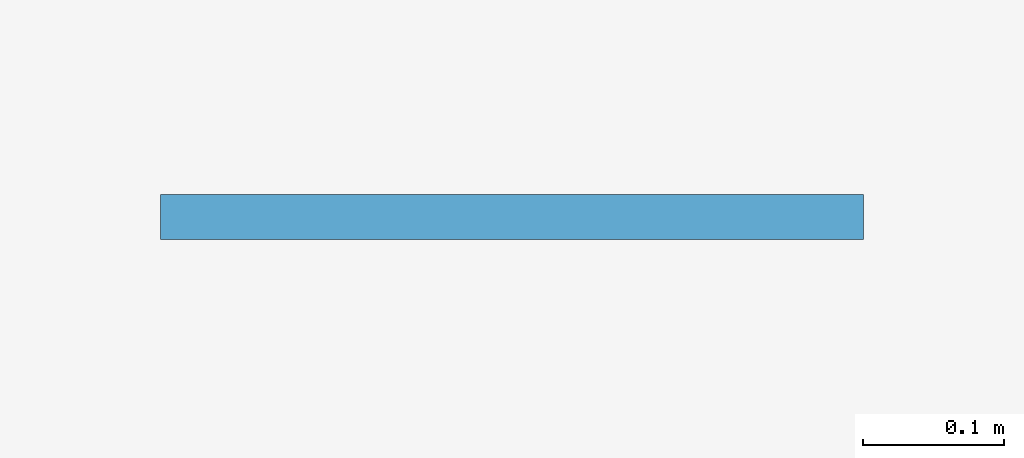
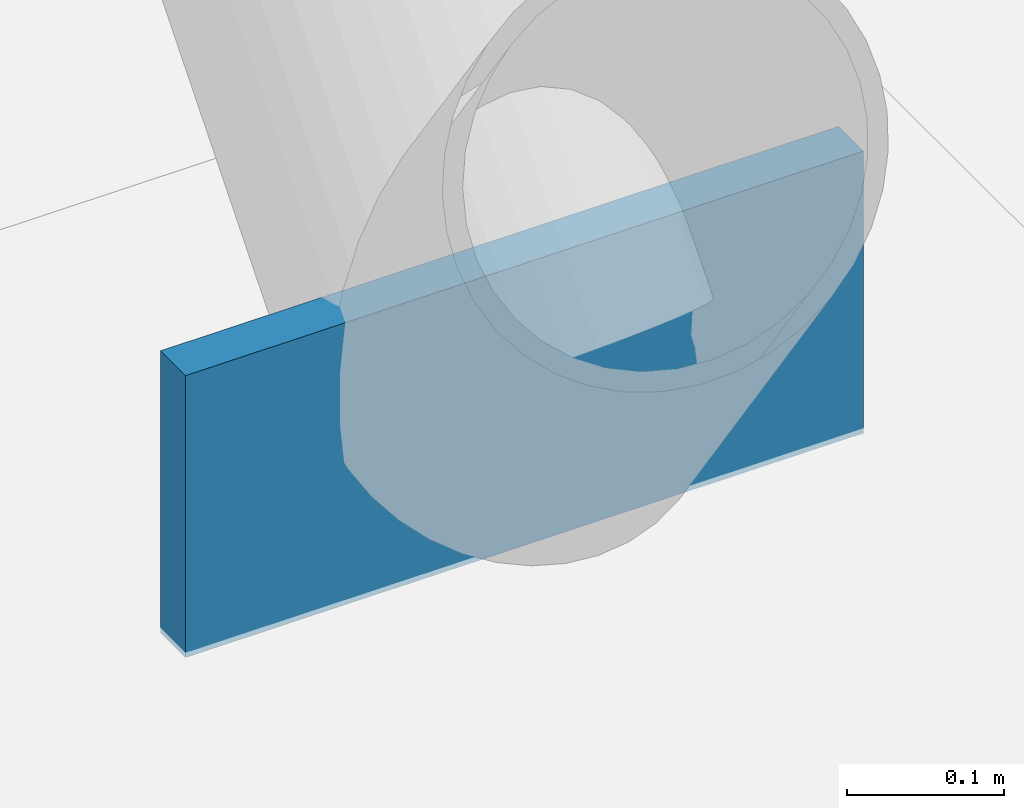
# One storey, part 116 of 140: 1 plate.
"""IFC4 building model written with IfcOpenShell, lengths in metres."""

from ifc_helpers import new_model, si_unit, direction, frame, origin, origin_2d, place, context, subcontext, project, spatial, rectangle, extrude, material, layer, layer_set, type_object, element, save


model = new_model("IFC4")

# Units and contexts
model_context = context("Model", 3, precision=1e-05, world=origin(), true_north=direction((0.0, 1.0)))
body_context = subcontext(model_context, "Body", "Model", "MODEL_VIEW")
ifc_project = project(units=[si_unit("LENGTHUNIT", "METRE"), si_unit("AREAUNIT", "SQUARE_METRE"), si_unit("VOLUMEUNIT", "CUBIC_METRE"), si_unit("PLANEANGLEUNIT", "RADIAN"), si_unit("MASSUNIT", "GRAM", prefix="KILO")], contexts=[model_context])

# Site, building, storey
site_placement = place(None, origin())
site = spatial("IfcSite", under=ifc_project, at=site_placement, CompositionType="ELEMENT")
building_placement = place(site_placement, origin())
building = spatial("IfcBuilding", under=site, at=building_placement, Name="Deido Ridge Mobility Hub", CompositionType="ELEMENT")
storey_placement = place(building_placement, origin())
storey = spatial("IfcBuildingStorey", under=building, at=storey_placement, Name="L00", CompositionType="ELEMENT", Elevation=0.0)

# Plate
ifc_material = material(Name="Steel S355J2 EN 10025-2", Category="steel")
ifc_layer = layer(ifc_material, 0.031982421875, Name="Steel S355J2 EN 10025-2")
ifc_layer_set = layer_set([ifc_layer], Name="Steel S355J2 EN 10025-2")
plate_type = type_object("IfcPlateType", Name="PLT-GUS-32", PredefinedType="USERDEFINED", material=ifc_layer_set)
plate_placement = place(storey_placement, frame((182.300048828125, 18.0, 0.03515625), z_axis=(0.0, 0.0, 1.0), x_axis=(1.0, 0.0, 0.0)))
element("IfcPlate", 1, at=plate_placement, inside=storey, type_object=plate_type, Name="Exoskeleton V-strut pedestal gusset GP4 139", ObjectType="GUSSET PLATE", PredefinedType="USERDEFINED", context=body_context, shape_type="SweptSolid", body=[
    extrude(rectangle(XDim=0.5, YDim=0.031982421875, at=origin_2d()), origin(), (0.0, 0.0, 1.0), 0.219970703125),
])

save(model, "model.ifc")
